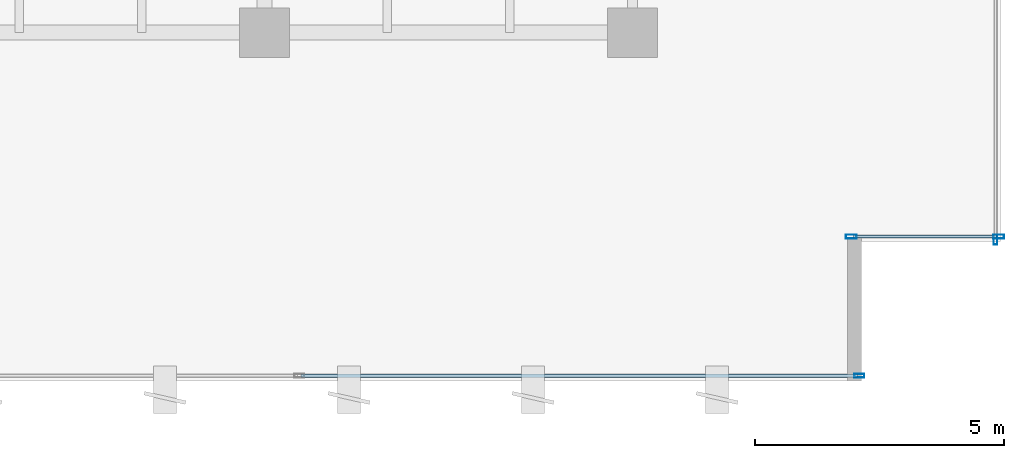
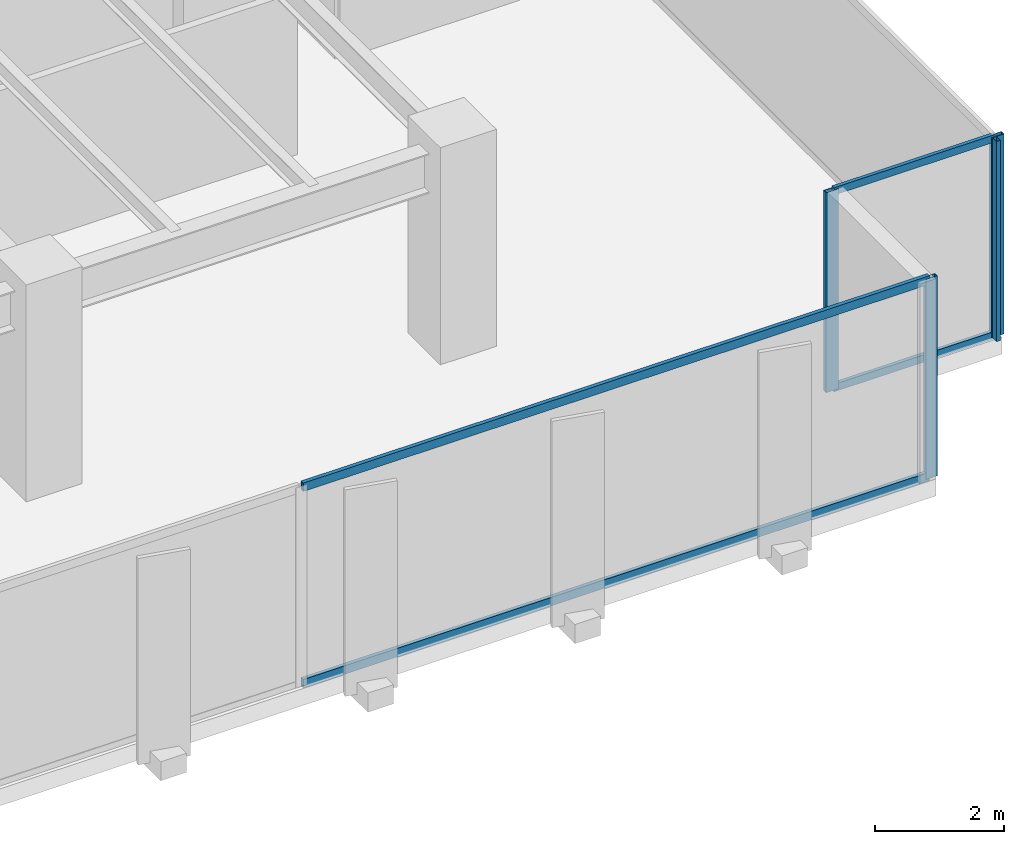
# One storey, part 23 of 36: 8 members, 3 elements without a shape of their own.
"""IFC4 building model written with IfcOpenShell, lengths in metres."""

import ifcopenshell
import ifcopenshell.guid

model = None  # the IFC model being written
_history = None  # IfcOwnerHistory: only IFC2X3 demands one
_inside = {}  # id of a spatial element -> (the spatial element, [elements in it])
_under = {}  # id of a project, library or spatial element -> (it, [spatial elements below it])
_declared = {}  # id of a project -> (the project, [libraries it declares])
_typed = {}  # id of a type object -> (the type object, [elements of that type])
_made_of = {}  # id of a material, layer set ... -> (it, [elements and type objects made of it])


def new_model(schema):
    """Start an empty IFC model of exactly this schema.

    Asked for "IFC4X3", IfcOpenShell would pick the latest addendum, in which some entities
    have other attributes; the version numbers below select the first issue.
    IFC2X3 requires an IfcOwnerHistory on every rooted entity: one is made here for all.
    """
    global model, _history
    if schema == "IFC4X3":
        model = ifcopenshell.file(schema_version=(4, 3, 0, 0))
    else:
        model = ifcopenshell.file(schema=schema)
    _inside.clear()
    _under.clear()
    _declared.clear()
    _typed.clear()
    _made_of.clear()
    _history = None
    if model.schema == "IFC2X3":
        org = make("IfcOrganization", Name="unknown")
        user = make(
            "IfcPersonAndOrganization",
            ThePerson=make("IfcPerson", FamilyName="unknown"),
            TheOrganization=org,
        )
        app = make(
            "IfcApplication",
            ApplicationDeveloper=org,
            Version="unknown",
            ApplicationFullName="unknown",
            ApplicationIdentifier="unknown",
        )
        _history = make(
            "IfcOwnerHistory",
            OwningUser=user,
            OwningApplication=app,
            ChangeAction="ADDED",
            CreationDate=0,
        )
    return model


def make(cls, **values):
    """One entity of the class cls with the attributes given. An attribute that is None is left unset."""
    return model.create_entity(
        cls, **{name: value for name, value in values.items() if value is not None}
    )


def rooted(cls, **values):
    """An entity with a GlobalId (a new one), such as an element, a storey or a relation."""
    return make(cls, GlobalId=ifcopenshell.guid.new(), OwnerHistory=_history, **values)


def si_unit(unit_type, name, prefix=None):
    """IfcSIUnit, for example si_unit("LENGTHUNIT", "METRE", prefix="MILLI")."""
    return make("IfcSIUnit", UnitType=unit_type, Prefix=prefix, Name=name)


def assignment(units):
    """IfcUnitAssignment: the units of a project."""
    return None if units is None else make("IfcUnitAssignment", Units=units)


def point(xyz):
    """IfcCartesianPoint."""
    return None if xyz is None else make("IfcCartesianPoint", Coordinates=xyz)


def direction(xyz):
    """IfcDirection."""
    return None if xyz is None else make("IfcDirection", DirectionRatios=xyz)


def frame(location, z_axis=None, x_axis=None):
    """IfcAxis2Placement3D, a coordinate frame: its origin and axes. An axis left out is left unset."""
    return make(
        "IfcAxis2Placement3D",
        Location=point(location),
        Axis=direction(z_axis),
        RefDirection=direction(x_axis),
    )


def frame_2d(location, x_axis=None):
    """IfcAxis2Placement2D, a coordinate frame in the plane: its origin and x axis."""
    return make(
        "IfcAxis2Placement2D", Location=point(location), RefDirection=direction(x_axis)
    )


def origin():
    """The frame at (0, 0, 0) with its axes left unset."""
    return frame((0.0, 0.0, 0.0))


def origin_2d():
    """The frame at (0, 0) in the plane with its x axis left unset."""
    return frame_2d((0.0, 0.0))


def place(relative_to, where):
    """IfcLocalPlacement: puts the frame where relative to a parent placement (None: the world)."""
    return make(
        "IfcLocalPlacement", PlacementRelTo=relative_to, RelativePlacement=where
    )


def context(
    kind, dimensions, precision=None, world=None, true_north=None, identifier=None
):
    """IfcGeometricRepresentationContext, for example the 3D "Model" context."""
    return make(
        "IfcGeometricRepresentationContext",
        ContextIdentifier=identifier,
        ContextType=kind,
        CoordinateSpaceDimension=dimensions,
        Precision=precision,
        WorldCoordinateSystem=world,
        TrueNorth=true_north,
    )


def subcontext(parent, identifier, kind, view, scale=None):
    """IfcGeometricRepresentationSubContext, for example "Body" below "Model"."""
    return make(
        "IfcGeometricRepresentationSubContext",
        ContextIdentifier=identifier,
        ContextType=kind,
        ParentContext=parent,
        TargetScale=scale,
        TargetView=view,
    )


def project(units=None, contexts=None):
    """IfcProject with its units and contexts."""
    return rooted(
        "IfcProject",
        Name="project",
        RepresentationContexts=contexts,
        UnitsInContext=assignment(units),
    )


def spatial(cls, under=None, at=None, **own):
    """A site, building, storey or space (cls), placed at a placement, below another one or the project."""
    s = rooted(cls, ObjectPlacement=at, **own)
    if under is not None:
        _under.setdefault(under.id(), (under, []))[1].append(s)
    return s


def profile(cls, at=None, kind="AREA", **sizes):
    """A parametric profile (cls). Its sizes go by their IFC names, for example OverallWidth=200.0."""
    return make(cls, ProfileType=kind, Position=at, **sizes)


def hollow_rectangle(**sizes):
    """IfcRectangleHollowProfileDef."""
    return profile("IfcRectangleHollowProfileDef", **sizes)


def extrude(swept, where, along, depth):
    """IfcExtrudedAreaSolid: the profile swept, set in the frame where, extruded along a direction by depth."""
    return make(
        "IfcExtrudedAreaSolid",
        SweptArea=swept,
        Position=where,
        ExtrudedDirection=direction(along),
        Depth=depth,
    )


def shape(context_of_items, identifier, shape_type, items):
    """IfcShapeRepresentation: the items that make up one representation, for example the "Body"."""
    return make(
        "IfcShapeRepresentation",
        ContextOfItems=context_of_items,
        RepresentationIdentifier=identifier,
        RepresentationType=shape_type,
        Items=items,
    )


def source(mapping_origin, context_of_items, identifier, shape_type, items):
    """IfcRepresentationMap: a shape defined once, which mapped items show again and again."""
    return make(
        "IfcRepresentationMap",
        MappingOrigin=mapping_origin,
        MappedRepresentation=shape(context_of_items, identifier, shape_type, items),
    )


def transform(
    local_origin,
    x_axis=None,
    y_axis=None,
    z_axis=None,
    scale=None,
    scale2=None,
    scale3=None,
    uniform=True,
):
    """IfcCartesianTransformationOperator3D, or its non-uniform kind. x_axis, y_axis, z_axis: its Axis1, 2, 3."""
    if uniform:
        return make(
            "IfcCartesianTransformationOperator3D",
            Axis1=direction(x_axis),
            Axis2=direction(y_axis),
            LocalOrigin=point(local_origin),
            Scale=scale,
            Axis3=direction(z_axis),
        )
    return make(
        "IfcCartesianTransformationOperator3DnonUniform",
        Axis1=direction(x_axis),
        Axis2=direction(y_axis),
        LocalOrigin=point(local_origin),
        Scale=scale,
        Axis3=direction(z_axis),
        Scale2=scale2,
        Scale3=scale3,
    )


def mapped(mapping_source, mapping_target):
    """IfcMappedItem: shows the shape of a source again, moved by a transform."""
    return make(
        "IfcMappedItem", MappingSource=mapping_source, MappingTarget=mapping_target
    )


def material(Name=None, Category=None):
    """IfcMaterial."""
    return make("IfcMaterial", Name=Name, Category=Category)


def layer(
    of_material, thickness, ventilated=None, Name=None, Category=None, Priority=None
):
    """IfcMaterialLayer: one layer of a wall or slab, of a material (None: an air gap)."""
    return make(
        "IfcMaterialLayer",
        Material=of_material,
        LayerThickness=thickness,
        IsVentilated=ventilated,
        Name=Name,
        Category=Category,
        Priority=Priority,
    )


def layer_set(layers, Name=None):
    """IfcMaterialLayerSet."""
    return make("IfcMaterialLayerSet", MaterialLayers=layers, LayerSetName=Name)


def material_profile(
    of_material, cross_section, Name=None, Category=None, Priority=None
):
    """IfcMaterialProfile: a cross section and its material."""
    return make(
        "IfcMaterialProfile",
        Name=Name,
        Material=of_material,
        Profile=cross_section,
        Priority=Priority,
        Category=Category,
    )


def profile_set(profiles, Name=None, composite=None):
    """IfcMaterialProfileSet."""
    return make(
        "IfcMaterialProfileSet",
        Name=Name,
        MaterialProfiles=profiles,
        CompositeProfile=composite,
    )


def made_of(thing, what):
    """Note that an element or type object is made of a material, layer set ...; save() writes the relation."""
    if what is not None:
        _made_of.setdefault(what.id(), (what, []))[1].append(thing)
    return thing


def type_object(cls, material=None, **own):
    """A type object (cls), such as IfcWallType, which elements share."""
    return made_of(rooted(cls, **own), material)


def type_shapes(of_type, sources):
    """Give a type object the sources (RepresentationMaps) that its elements show as mapped items."""
    of_type.RepresentationMaps = sources


def element(
    cls,
    number,
    at=None,
    inside=None,
    cuts=None,
    type_object=None,
    material=None,
    context=None,
    identifier="Body",
    shape_type=None,
    held_by="IfcProductDefinitionShape",
    body=None,
    shapes=None,
    **own,
):
    """One element of the class cls, such as IfcWall. Its Tag is "e" and its number.

    at: its placement. inside: the storey or other place that contains it. cuts: it is an
    opening in that element (IfcRelVoidsElement). A single representation is given by context,
    identifier, shape_type and body (its items); several are given by shapes. held_by: the class
    of the entity that holds the representations. save() writes the other relations.
    """
    e = rooted(cls, Tag="e%d" % number, ObjectPlacement=at, **own)
    if body is not None:
        shapes = [shape(context, identifier, shape_type, body)]
    if shapes is not None:
        e.Representation = make(held_by, Representations=shapes)
    if inside is not None:
        _inside.setdefault(inside.id(), (inside, []))[1].append(e)
    if cuts is not None:
        rooted(
            "IfcRelVoidsElement", RelatingBuildingElement=cuts, RelatedOpeningElement=e
        )
    if type_object is not None:
        _typed.setdefault(type_object.id(), (type_object, []))[1].append(e)
    return made_of(e, material)


def aggregate(whole, parts):
    """IfcRelAggregates: a whole, such as a stair, and the parts it consists of."""
    return rooted("IfcRelAggregates", RelatingObject=whole, RelatedObjects=parts)


def save(model, path):
    """Write the relations noted so far, then the file.

    IfcRelAggregates (storeys below a building ...), IfcRelContainedInSpatialStructure (elements
    in a storey), IfcRelDefinesByType, IfcRelAssociatesMaterial and IfcRelDeclares: one each for
    every whole, place, type object, material and project.
    """
    for whole, parts in _under.values():
        aggregate(whole, parts)
    for where, things in _inside.values():
        rooted(
            "IfcRelContainedInSpatialStructure",
            RelatedElements=things,
            RelatingStructure=where,
        )
    for kind, things in _typed.values():
        rooted("IfcRelDefinesByType", RelatedObjects=things, RelatingType=kind)
    for what, things in _made_of.values():
        rooted("IfcRelAssociatesMaterial", RelatedObjects=things, RelatingMaterial=what)
    for by, libraries in _declared.values():
        rooted("IfcRelDeclares", RelatingContext=by, RelatedDefinitions=libraries)
    model.write(path)


model = new_model("IFC4")

# Units and contexts
model_context = context("Model", 3, precision=1e-05, world=origin(), true_north=direction((0.0, 1.0)))
body_context = subcontext(model_context, "Body", "Model", "MODEL_VIEW")
ifc_project = project(units=[si_unit("LENGTHUNIT", "METRE"), si_unit("AREAUNIT", "SQUARE_METRE"), si_unit("VOLUMEUNIT", "CUBIC_METRE"), si_unit("PLANEANGLEUNIT", "RADIAN"), si_unit("MASSUNIT", "GRAM", prefix="KILO")], contexts=[model_context])

# Site, building, storey
site_placement = place(None, origin())
site = spatial("IfcSite", under=ifc_project, at=site_placement, CompositionType="ELEMENT")
building_placement = place(site_placement, origin())
building = spatial("IfcBuilding", under=site, at=building_placement, Name="Haelvirn Gate Laboratories", CompositionType="ELEMENT")
storey_placement = place(building_placement, frame((0.0, 0.0, 29.300048828125)))
storey = spatial("IfcBuildingStorey", under=building, at=storey_placement, Name="L07", CompositionType="ELEMENT", Elevation=29.300048828125)

# Curtain wall, member
ifc_material_1 = material(Name="Anodised bronze unitised aluminium & triple low-E glass", Category="aluminium")
ifc_layer_1 = layer(ifc_material_1, 0.18408203125, Name="CW-SYS-2")
ifc_layer_set_1 = layer_set([ifc_layer_1], Name="Anodised bronze unitised aluminium & triple low-E glass")
curtain_wall_type_1 = type_object("IfcCurtainWallType", Name="CW-SYS-2", PredefinedType="NOTDEFINED", material=ifc_layer_set_1)
curtain_wall_1_placement = place(storey_placement, origin())
curtain_wall_1 = element("IfcCurtainWall", 1, at=curtain_wall_1_placement, inside=storey, type_object=curtain_wall_type_1, Name="L07 Unitised Curtain Wall CW-L07-P0-E04-1", PredefinedType="NOTDEFINED")
ifc_material_2 = material(Name="Extruded aluminium 6063-T6 (anodised bronze)", Category="aluminium")
ifc_material_profile_1 = material_profile(ifc_material_2, hollow_rectangle(XDim=0.074951171875, YDim=0.199951171875, WallThickness=0.0048828125, at=origin_2d()), Name="CWM-200x75x5")
ifc_profile_set_1 = profile_set([ifc_material_profile_1], Name="Extruded aluminium 6063-T6 (anodised bronze)")
member_type_1 = type_object("IfcMemberType", Name="CWM-T200", PredefinedType="MULLION", material=ifc_profile_set_1)
shared_shape_1 = source(origin(), body_context, "Body", "SweptSolid", [
    extrude(hollow_rectangle(XDim=0.074951171875, YDim=0.199951171875, WallThickness=0.0048828125, at=origin_2d()), origin(), (0.0, 0.0, 1.0), 3.780029296875),
])
type_shapes(member_type_1, [shared_shape_1])
member_1_placement = place(storey_placement, frame((71.96240234375, 0.10009765625, 0.0), z_axis=(0.0, 0.0, 1.0), x_axis=(0.0, 1.0, 0.0)))
member_1 = element("IfcMember", 2, at=member_1_placement, type_object=member_type_1, Name="CW2 mullion 3", PredefinedType="MULLION", context=body_context, shape_type="MappedRepresentation", body=[
    mapped(shared_shape_1, transform((0.0, 0.0, 0.0), scale=1.0)),
])

curtain_wall_2_placement = place(storey_placement, origin())
curtain_wall_2 = element("IfcCurtainWall", 3, at=curtain_wall_2_placement, inside=storey, type_object=curtain_wall_type_1, Name="L07 Unitised Curtain Wall CW-L07-P0-E07", PredefinedType="NOTDEFINED")
member_2_placement = place(storey_placement, frame((74.699951171875, 2.83740234375, 0.0), z_axis=(0.0, 0.0, 1.0), x_axis=(-1.0, 0.0, 0.0)))
member_2 = element("IfcMember", 4, at=member_2_placement, type_object=member_type_1, Name="CW2 mullion 1", PredefinedType="MULLION", context=body_context, shape_type="MappedRepresentation", body=[
    mapped(shared_shape_1, transform((0.0, 0.0, 0.0), scale=1.0)),
])
aggregate(curtain_wall_2, [member_2])

# Member
ifc_material_profile_2 = material_profile(ifc_material_2, hollow_rectangle(XDim=0.070068359375, YDim=0.159912109375, WallThickness=0.0048828125, at=origin_2d()), Name="CWT-160x70x5")
ifc_profile_set_2 = profile_set([ifc_material_profile_2], Name="Extruded aluminium 6063-T6 (anodised bronze)")
member_type_2 = type_object("IfcMemberType", Name="CWT-T160", PredefinedType="USERDEFINED", material=ifc_profile_set_2)
shared_shape_2 = source(origin(), body_context, "Body", "SweptSolid", [
    extrude(hollow_rectangle(XDim=0.070068359375, YDim=0.159912109375, WallThickness=0.0048828125, at=origin_2d()), origin(), (0.0, 0.0, 1.0), 11.1875),
])
type_shapes(member_type_2, [shared_shape_2])
member_3_placement = place(storey_placement, frame((60.737548828125, 0.10009765625, 0.034912109375), z_axis=(1.0, 0.0, 0.0), x_axis=(0.0, 1.0, 0.0)))
member_3 = element("IfcMember", 5, at=member_3_placement, type_object=member_type_2, Name="CW2 transom 2.1", ObjectType="TRANSOM", PredefinedType="USERDEFINED", context=body_context, shape_type="MappedRepresentation", body=[
    mapped(shared_shape_2, transform((0.0, 0.0, 0.0), scale=1.0)),
])

member_4_placement = place(storey_placement, frame((60.737548828125, 0.10009765625, 3.744873046875), z_axis=(1.0, 0.0, 0.0), x_axis=(0.0, 1.0, 0.0)))
member_4 = element("IfcMember", 6, at=member_4_placement, type_object=member_type_2, Name="CW2 transom 2.2", ObjectType="TRANSOM", PredefinedType="USERDEFINED", context=body_context, shape_type="MappedRepresentation", body=[
    mapped(shared_shape_2, transform((0.0, 0.0, 0.0), scale=1.0)),
])

aggregate(curtain_wall_1, [member_1, member_3, member_4])

# Curtain wall, members
ifc_layer_2 = layer(ifc_material_1, 0.181884765625, Name="CW-SYS-5")
ifc_layer_set_2 = layer_set([ifc_layer_2], Name="Anodised bronze unitised aluminium & triple low-E glass")
curtain_wall_type_2 = type_object("IfcCurtainWallType", Name="CW-SYS-5", PredefinedType="NOTDEFINED", material=ifc_layer_set_2)
curtain_wall_3_placement = place(storey_placement, origin())
curtain_wall_3 = element("IfcCurtainWall", 7, at=curtain_wall_3_placement, inside=storey, type_object=curtain_wall_type_2, Name="L07 Unitised Curtain Wall CW-L07-P0-E06-1", PredefinedType="NOTDEFINED")
ifc_material_profile_3 = material_profile(ifc_material_2, hollow_rectangle(XDim=0.080078125, YDim=0.219970703125, WallThickness=0.006103515625, at=origin_2d()), Name="CWM-220x80x6")
ifc_profile_set_3 = profile_set([ifc_material_profile_3], Name="Extruded aluminium 6063-T6 (anodised bronze)")
member_type_3 = type_object("IfcMemberType", Name="CWM-T220", PredefinedType="MULLION", material=ifc_profile_set_3)
shared_shape_3 = source(origin(), body_context, "Body", "SweptSolid", [
    extrude(hollow_rectangle(XDim=0.080078125, YDim=0.219970703125, WallThickness=0.006103515625, at=origin_2d()), origin(), (0.0, 0.0, 1.0), 3.780029296875),
])
type_shapes(member_type_3, [shared_shape_3])
member_5_placement = place(storey_placement, frame((71.800048828125, 2.89990234375, 0.0), z_axis=(0.0, 0.0, 1.0), x_axis=(0.0, 1.0, 0.0)))
member_5 = element("IfcMember", 8, at=member_5_placement, type_object=member_type_3, Name="CW5 mullion 1", PredefinedType="MULLION", context=body_context, shape_type="MappedRepresentation", body=[
    mapped(shared_shape_3, transform((0.0, 0.0, 0.0), scale=1.0)),
])
member_6_placement = place(storey_placement, frame((74.760009765625, 2.89990234375, 0.0), z_axis=(0.0, 0.0, 1.0), x_axis=(0.0, 1.0, 0.0)))
member_6 = element("IfcMember", 9, at=member_6_placement, type_object=member_type_3, Name="CW5 mullion 2", PredefinedType="MULLION", context=body_context, shape_type="MappedRepresentation", body=[
    mapped(shared_shape_3, transform((0.0, 0.0, 0.0), scale=1.0)),
])
ifc_material_profile_4 = material_profile(ifc_material_2, hollow_rectangle(XDim=0.06494140625, YDim=0.139892578125, WallThickness=0.00390625, at=origin_2d()), Name="CWT-140x65x4")
ifc_profile_set_4 = profile_set([ifc_material_profile_4], Name="Extruded aluminium 6063-T6 (anodised bronze)")
member_type_4 = type_object("IfcMemberType", Name="CWT-T140", PredefinedType="USERDEFINED", material=ifc_profile_set_4)
shared_shape_4 = source(origin(), body_context, "Body", "SweptSolid", [
    extrude(hollow_rectangle(XDim=0.06494140625, YDim=0.139892578125, WallThickness=0.00390625, at=origin_2d()), origin(), (0.0, 0.0, 1.0), 2.8798828125),
])
type_shapes(member_type_4, [shared_shape_4])
member_7_placement = place(storey_placement, frame((71.840087890625, 2.89990234375, 0.032470703125), z_axis=(1.0, 0.0, 0.0), x_axis=(0.0, 1.0, 0.0)))
member_7 = element("IfcMember", 10, at=member_7_placement, type_object=member_type_4, Name="CW5 transom 1.1", ObjectType="TRANSOM", PredefinedType="USERDEFINED", context=body_context, shape_type="MappedRepresentation", body=[
    mapped(shared_shape_4, transform((0.0, 0.0, 0.0), scale=1.0)),
])
member_8_placement = place(storey_placement, frame((71.840087890625, 2.89990234375, 3.74755859375), z_axis=(1.0, 0.0, 0.0), x_axis=(0.0, 1.0, 0.0)))
member_8 = element("IfcMember", 11, at=member_8_placement, type_object=member_type_4, Name="CW5 transom 1.2", ObjectType="TRANSOM", PredefinedType="USERDEFINED", context=body_context, shape_type="MappedRepresentation", body=[
    mapped(shared_shape_4, transform((0.0, 0.0, 0.0), scale=1.0)),
])
aggregate(curtain_wall_3, [member_5, member_6, member_7, member_8])

save(model, "model.ifc")
